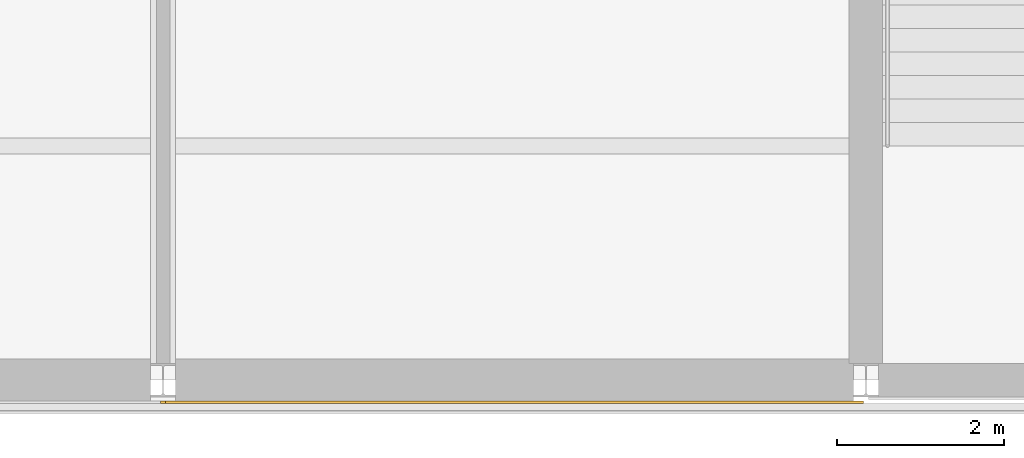
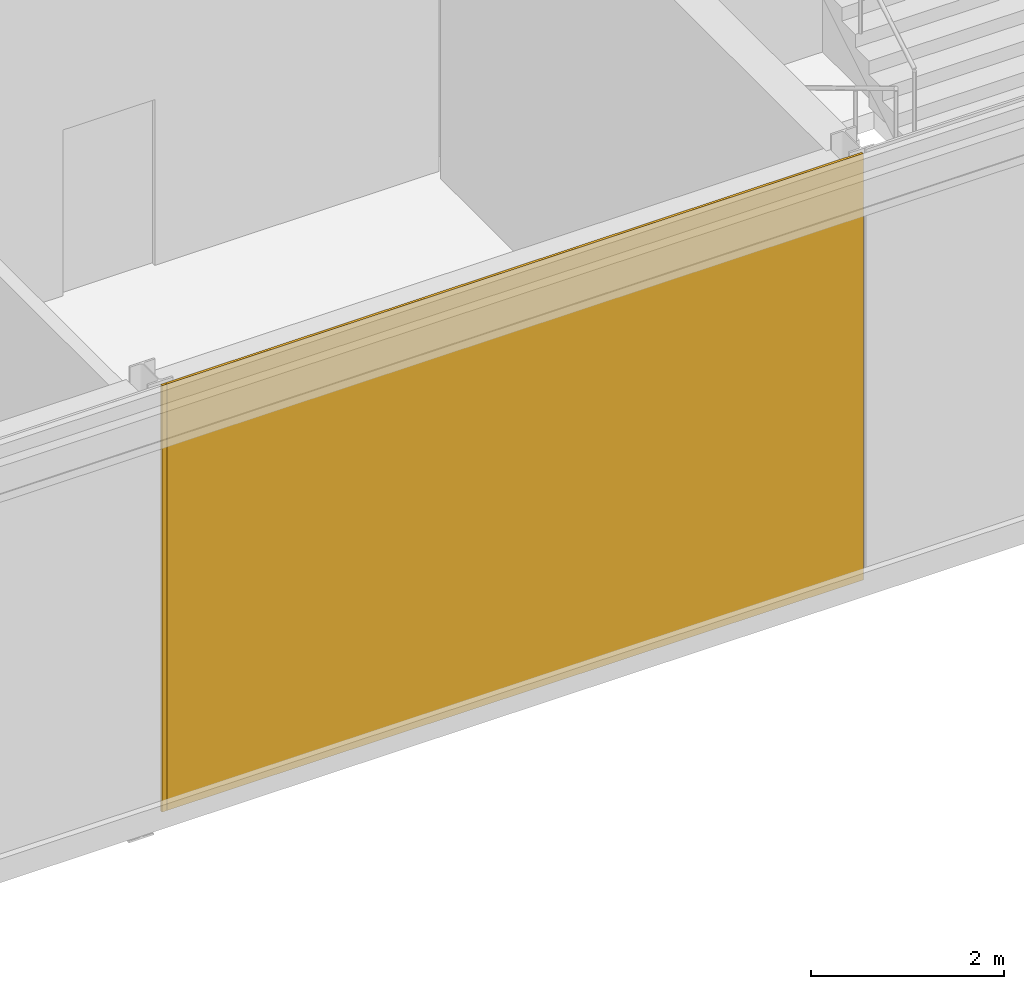
# One storey, part 39 of 57: 2 coverings.
"""IFC4 building model written with IfcOpenShell, lengths in metres."""

from ifc_helpers import new_model, si_unit, direction, frame, origin, origin_2d, place, context, subcontext, project, spatial, rectangle, extrude, material, layer, layer_set, type_object, element, save


model = new_model("IFC4")

# Units and contexts
model_context = context("Model", 3, precision=1e-05, world=origin(), true_north=direction((0.0, 1.0)))
body_context = subcontext(model_context, "Body", "Model", "MODEL_VIEW")
ifc_project = project(units=[si_unit("LENGTHUNIT", "METRE"), si_unit("AREAUNIT", "SQUARE_METRE"), si_unit("VOLUMEUNIT", "CUBIC_METRE"), si_unit("PLANEANGLEUNIT", "RADIAN"), si_unit("MASSUNIT", "GRAM", prefix="KILO")], contexts=[model_context])

# Site, building, storey
site_placement = place(None, origin())
site = spatial("IfcSite", under=ifc_project, at=site_placement, CompositionType="ELEMENT")
building_placement = place(site_placement, origin())
building = spatial("IfcBuilding", under=site, at=building_placement, Name="Galleria Vessillo Department Store", CompositionType="ELEMENT")
storey_placement = place(building_placement, frame((0.0, 0.0, 25.800048828125)))
storey = spatial("IfcBuildingStorey", under=building, at=storey_placement, Name="L05", CompositionType="ELEMENT", Elevation=25.800048828125)

# Coverings
ifc_material = material(Name="Lime plaster (intonaco) ochre")
ifc_layer = layer(ifc_material, 0.030029296875)
ifc_layer_set = layer_set([ifc_layer], Name="Lime plaster (intonaco) ochre")
covering_type = type_object("IfcCoveringType", Name="Lime plaster render 30 mm", PredefinedType="CLADDING", material=ifc_layer_set)
covering_1_placement = place(storey_placement, frame((29.39990234375, -0.264892578125, 0.0), z_axis=(0.0, 0.0, 1.0), x_axis=(1.0, 0.0, 0.0)))
element("IfcCovering", 1, at=covering_1_placement, inside=storey, type_object=covering_type, Name="Wall cladding S-PS-L05-03", PredefinedType="CLADDING", context=body_context, shape_type="SweptSolid", body=[
    extrude(rectangle(XDim=8.34033203125, YDim=0.030029296875, at=origin_2d()), origin(), (0.0, 0.0, 1.0), 5.39990234375),
])
covering_2_placement = place(storey_placement, frame((25.199951171875, -0.264892578125, 0.0), z_axis=(0.0, 0.0, 1.0), x_axis=(1.0, 0.0, 0.0)))
element("IfcCovering", 2, at=covering_2_placement, inside=storey, type_object=covering_type, Name="Joint block Wall cladding S-PS-L05-02", PredefinedType="CLADDING", context=body_context, shape_type="SweptSolid", body=[
    extrude(rectangle(XDim=0.059814453125, YDim=0.030029296875, at=origin_2d()), origin(), (0.0, 0.0, 1.0), 5.39990234375),
])

save(model, "model.ifc")
